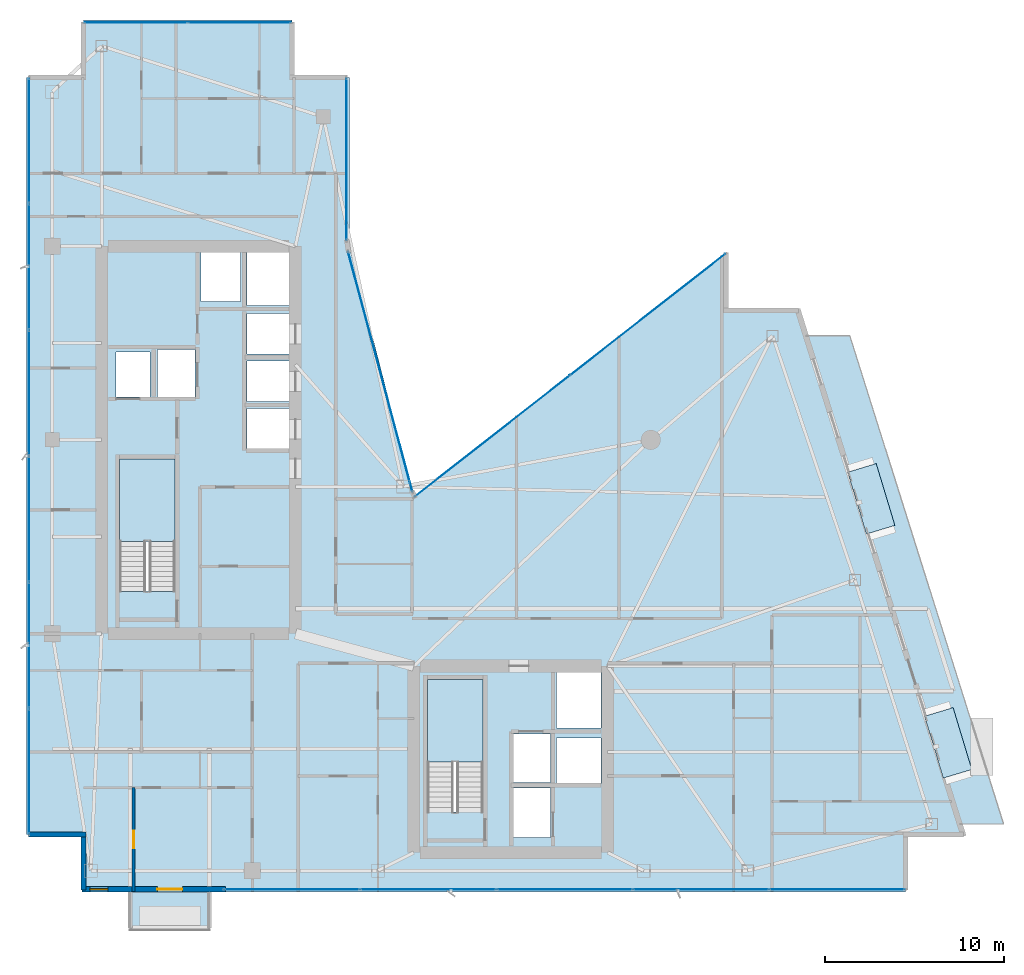
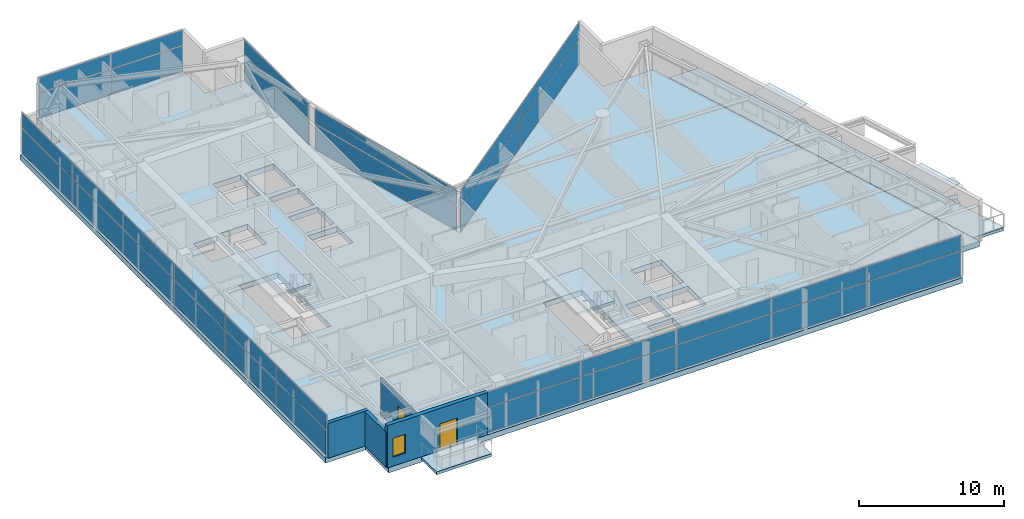
# One storey, part 22 of 29: 36 plates, 5 slabs, 4 walls, 2 doors, 1 window, 3 openings, 8 elements without a shape of their own.
"""IFC4 building model written with IfcOpenShell, lengths in metres."""

from ifc_helpers import new_model, si_unit, direction, frame, frame_2d, origin, origin_2d, place, context, subcontext, project, spatial, polyline, rectangle, outline, extrude, material, layer, layer_set, type_object, element, fill, aggregate, save


model = new_model("IFC4")

# Units and contexts
model_context = context("Model", 3, precision=1e-05, world=origin(), true_north=direction((0.0, 1.0)))
body_context = subcontext(model_context, "Body", "Model", "MODEL_VIEW")
ifc_project = project(units=[si_unit("LENGTHUNIT", "METRE"), si_unit("AREAUNIT", "SQUARE_METRE"), si_unit("VOLUMEUNIT", "CUBIC_METRE"), si_unit("PLANEANGLEUNIT", "RADIAN"), si_unit("MASSUNIT", "GRAM", prefix="KILO")], contexts=[model_context])

# Site, building, storey
site_placement = place(None, origin())
site = spatial("IfcSite", under=ifc_project, at=site_placement, CompositionType="ELEMENT")
building_placement = place(site_placement, origin())
building = spatial("IfcBuilding", under=site, at=building_placement, Name="Calvorn Quay Hotel", CompositionType="ELEMENT")
storey_placement = place(building_placement, frame((0.0, 0.0, 199.60009765625)))
storey = spatial("IfcBuildingStorey", under=building, at=storey_placement, Name="L49", CompositionType="ELEMENT", Elevation=199.60009765625)

# Curtain wall, plates
ifc_material_1 = material(Name="Champagne Bronze Anodised Aluminium and Low-E Glass", Category="aluminium")
ifc_layer_1 = layer(ifc_material_1, 0.219970703125)
ifc_layer_set_1 = layer_set([ifc_layer_1], Name="CW-SYS-Z3")
curtain_wall_type = type_object("IfcCurtainWallType", Name="CW-SYS-Z3", PredefinedType="NOTDEFINED", material=ifc_layer_set_1)
curtain_wall_1_placement = place(storey_placement, origin())
curtain_wall_1 = element("IfcCurtainWall", 1, at=curtain_wall_1_placement, inside=storey, type_object=curtain_wall_type, Name="Tower West Curtain Wall (L49)", PredefinedType="NOTDEFINED")
ifc_material_2 = material(Name="Low-E Laminated Double Glazing", Category="glass")
ifc_layer_2 = layer(ifc_material_2, 0.028076171875)
ifc_layer_set_2 = layer_set([ifc_layer_2], Name="CW-SYS-Z3-PAN")
plate_type_1 = type_object("IfcPlateType", Name="CW-SYS-Z3-PAN", PredefinedType="CURTAIN_PANEL", material=ifc_layer_set_2)
plate_1_placement = place(storey_placement, frame((0.14990234375, 9.131591796875, 0.06005859375), z_axis=(0.0, 0.0, 1.0), x_axis=(0.0, 1.0, 0.0)))
plate_1 = element("IfcPlate", 2, at=plate_1_placement, type_object=plate_type_1, Name="CW-L49-W panel 1.1", PredefinedType="CURTAIN_PANEL", context=body_context, shape_type="SweptSolid", body=[
    extrude(rectangle(XDim=6.943359375, YDim=0.028076171875, at=origin_2d()), origin(), (0.0, 0.0, 1.0), 2.110107421875),
])
plate_2_placement = place(storey_placement, frame((0.14990234375, 9.131591796875, 2.22998046875), z_axis=(0.0, 0.0, 1.0), x_axis=(0.0, 1.0, 0.0)))
plate_2 = element("IfcPlate", 3, at=plate_2_placement, type_object=plate_type_1, Name="CW-L49-W panel 1.2", PredefinedType="CURTAIN_PANEL", context=body_context, shape_type="SweptSolid", body=[
    extrude(rectangle(XDim=6.943359375, YDim=0.028076171875, at=origin_2d()), origin(), (0.0, 0.0, 1.0), 1.27001953125),
])
plate_3_placement = place(storey_placement, frame((0.14990234375, 16.14990234375, 0.06005859375), z_axis=(0.0, 0.0, 1.0), x_axis=(0.0, 1.0, 0.0)))
plate_3 = element("IfcPlate", 4, at=plate_3_placement, type_object=plate_type_1, Name="CW-L49-W panel 2.1", PredefinedType="CURTAIN_PANEL", context=body_context, shape_type="SweptSolid", body=[
    extrude(rectangle(XDim=6.973388671875, YDim=0.028076171875, at=origin_2d()), origin(), (0.0, 0.0, 1.0), 2.110107421875),
])
plate_4_placement = place(storey_placement, frame((0.14990234375, 16.14990234375, 2.22998046875), z_axis=(0.0, 0.0, 1.0), x_axis=(0.0, 1.0, 0.0)))
plate_4 = element("IfcPlate", 5, at=plate_4_placement, type_object=plate_type_1, Name="CW-L49-W panel 2.2", PredefinedType="CURTAIN_PANEL", context=body_context, shape_type="SweptSolid", body=[
    extrude(rectangle(XDim=6.973388671875, YDim=0.028076171875, at=origin_2d()), origin(), (0.0, 0.0, 1.0), 1.27001953125),
])
plate_5_placement = place(storey_placement, frame((0.14990234375, 23.183349609375, 0.06005859375), z_axis=(0.0, 0.0, 1.0), x_axis=(0.0, 1.0, 0.0)))
plate_5 = element("IfcPlate", 6, at=plate_5_placement, type_object=plate_type_1, Name="CW-L49-W panel 3.1", PredefinedType="CURTAIN_PANEL", context=body_context, shape_type="SweptSolid", body=[
    extrude(rectangle(XDim=6.973388671875, YDim=0.028076171875, at=origin_2d()), origin(), (0.0, 0.0, 1.0), 2.110107421875),
])
plate_6_placement = place(storey_placement, frame((0.14990234375, 23.183349609375, 2.22998046875), z_axis=(0.0, 0.0, 1.0), x_axis=(0.0, 1.0, 0.0)))
plate_6 = element("IfcPlate", 7, at=plate_6_placement, type_object=plate_type_1, Name="CW-L49-W panel 3.2", PredefinedType="CURTAIN_PANEL", context=body_context, shape_type="SweptSolid", body=[
    extrude(rectangle(XDim=6.973388671875, YDim=0.028076171875, at=origin_2d()), origin(), (0.0, 0.0, 1.0), 1.27001953125),
])
plate_7_placement = place(storey_placement, frame((0.14990234375, 30.216552734375, 0.06005859375), z_axis=(0.0, 0.0, 1.0), x_axis=(0.0, 1.0, 0.0)))
plate_7 = element("IfcPlate", 8, at=plate_7_placement, type_object=plate_type_1, Name="CW-L49-W panel 4.1", PredefinedType="CURTAIN_PANEL", context=body_context, shape_type="SweptSolid", body=[
    extrude(rectangle(XDim=6.973388671875, YDim=0.028076171875, at=origin_2d()), origin(), (0.0, 0.0, 1.0), 2.110107421875),
])
plate_8_placement = place(storey_placement, frame((0.14990234375, 30.216552734375, 2.22998046875), z_axis=(0.0, 0.0, 1.0), x_axis=(0.0, 1.0, 0.0)))
plate_8 = element("IfcPlate", 9, at=plate_8_placement, type_object=plate_type_1, Name="CW-L49-W panel 4.2", PredefinedType="CURTAIN_PANEL", context=body_context, shape_type="SweptSolid", body=[
    extrude(rectangle(XDim=6.973388671875, YDim=0.028076171875, at=origin_2d()), origin(), (0.0, 0.0, 1.0), 1.27001953125),
])
plate_9_placement = place(storey_placement, frame((0.14990234375, 37.25, 0.06005859375), z_axis=(0.0, 0.0, 1.0), x_axis=(0.0, 1.0, 0.0)))
plate_9 = element("IfcPlate", 10, at=plate_9_placement, type_object=plate_type_1, Name="CW-L49-W panel 5.1", PredefinedType="CURTAIN_PANEL", context=body_context, shape_type="SweptSolid", body=[
    extrude(rectangle(XDim=6.973388671875, YDim=0.028076171875, at=origin_2d()), origin(), (0.0, 0.0, 1.0), 2.110107421875),
])
plate_10_placement = place(storey_placement, frame((0.14990234375, 37.25, 2.22998046875), z_axis=(0.0, 0.0, 1.0), x_axis=(0.0, 1.0, 0.0)))
plate_10 = element("IfcPlate", 11, at=plate_10_placement, type_object=plate_type_1, Name="CW-L49-W panel 5.2", PredefinedType="CURTAIN_PANEL", context=body_context, shape_type="SweptSolid", body=[
    extrude(rectangle(XDim=6.973388671875, YDim=0.028076171875, at=origin_2d()), origin(), (0.0, 0.0, 1.0), 1.27001953125),
])
plate_11_placement = place(storey_placement, frame((0.14990234375, 44.268310546875, 0.06005859375), z_axis=(0.0, 0.0, 1.0), x_axis=(0.0, 1.0, 0.0)))
plate_11 = element("IfcPlate", 12, at=plate_11_placement, type_object=plate_type_1, Name="CW-L49-W panel 6.1", PredefinedType="CURTAIN_PANEL", context=body_context, shape_type="SweptSolid", body=[
    extrude(rectangle(XDim=6.943359375, YDim=0.028076171875, at=origin_2d()), origin(), (0.0, 0.0, 1.0), 2.110107421875),
])
plate_12_placement = place(storey_placement, frame((0.14990234375, 44.268310546875, 2.22998046875), z_axis=(0.0, 0.0, 1.0), x_axis=(0.0, 1.0, 0.0)))
plate_12 = element("IfcPlate", 13, at=plate_12_placement, type_object=plate_type_1, Name="CW-L49-W panel 6.2", PredefinedType="CURTAIN_PANEL", context=body_context, shape_type="SweptSolid", body=[
    extrude(rectangle(XDim=6.943359375, YDim=0.028076171875, at=origin_2d()), origin(), (0.0, 0.0, 1.0), 1.27001953125),
])
aggregate(curtain_wall_1, [plate_1, plate_2, plate_3, plate_4, plate_5, plate_6, plate_7, plate_8, plate_9, plate_10, plate_11, plate_12])

curtain_wall_2_placement = place(storey_placement, origin())
curtain_wall_2 = element("IfcCurtainWall", 14, at=curtain_wall_2_placement, inside=storey, type_object=curtain_wall_type, Name="Tower South Waterfront Curtain Wall (L49)", PredefinedType="NOTDEFINED")
plate_13_placement = place(storey_placement, frame((14.81494140625, 2.550048828125, 0.06005859375), z_axis=(0.0, 0.0, 1.0), x_axis=(1.0, 0.0, 0.0)))
plate_13 = element("IfcPlate", 15, at=plate_13_placement, type_object=plate_type_1, Name="CW-L49-S panel 1.1", PredefinedType="CURTAIN_PANEL", context=body_context, shape_type="SweptSolid", body=[
    extrude(rectangle(XDim=7.510009765625, YDim=0.028076171875, at=origin_2d()), origin(), (0.0, 0.0, 1.0), 2.110107421875),
])
plate_14_placement = place(storey_placement, frame((14.81494140625, 2.550048828125, 2.22998046875), z_axis=(0.0, 0.0, 1.0), x_axis=(1.0, 0.0, 0.0)))
plate_14 = element("IfcPlate", 16, at=plate_14_placement, type_object=plate_type_1, Name="CW-L49-S panel 1.2", PredefinedType="CURTAIN_PANEL", context=body_context, shape_type="SweptSolid", body=[
    extrude(rectangle(XDim=7.510009765625, YDim=0.028076171875, at=origin_2d()), origin(), (0.0, 0.0, 1.0), 1.27001953125),
])
plate_15_placement = place(storey_placement, frame((22.39990234375, 2.550048828125, 0.06005859375), z_axis=(0.0, 0.0, 1.0), x_axis=(1.0, 0.0, 0.0)))
plate_15 = element("IfcPlate", 17, at=plate_15_placement, type_object=plate_type_1, Name="CW-L49-S panel 2.1", PredefinedType="CURTAIN_PANEL", context=body_context, shape_type="SweptSolid", body=[
    extrude(rectangle(XDim=7.5400390625, YDim=0.028076171875, at=origin_2d()), origin(), (0.0, 0.0, 1.0), 2.110107421875),
])
plate_16_placement = place(storey_placement, frame((22.39990234375, 2.550048828125, 2.22998046875), z_axis=(0.0, 0.0, 1.0), x_axis=(1.0, 0.0, 0.0)))
plate_16 = element("IfcPlate", 18, at=plate_16_placement, type_object=plate_type_1, Name="CW-L49-S panel 2.2", PredefinedType="CURTAIN_PANEL", context=body_context, shape_type="SweptSolid", body=[
    extrude(rectangle(XDim=7.5400390625, YDim=0.028076171875, at=origin_2d()), origin(), (0.0, 0.0, 1.0), 1.27001953125),
])
plate_17_placement = place(storey_placement, frame((30.0, 2.550048828125, 0.06005859375), z_axis=(0.0, 0.0, 1.0), x_axis=(1.0, 0.0, 0.0)))
plate_17 = element("IfcPlate", 19, at=plate_17_placement, type_object=plate_type_1, Name="CW-L49-S panel 3.1", PredefinedType="CURTAIN_PANEL", context=body_context, shape_type="SweptSolid", body=[
    extrude(rectangle(XDim=7.5400390625, YDim=0.028076171875, at=origin_2d()), origin(), (0.0, 0.0, 1.0), 2.110107421875),
])
plate_18_placement = place(storey_placement, frame((30.0, 2.550048828125, 2.22998046875), z_axis=(0.0, 0.0, 1.0), x_axis=(1.0, 0.0, 0.0)))
plate_18 = element("IfcPlate", 20, at=plate_18_placement, type_object=plate_type_1, Name="CW-L49-S panel 3.2", PredefinedType="CURTAIN_PANEL", context=body_context, shape_type="SweptSolid", body=[
    extrude(rectangle(XDim=7.5400390625, YDim=0.028076171875, at=origin_2d()), origin(), (0.0, 0.0, 1.0), 1.27001953125),
])
plate_19_placement = place(storey_placement, frame((37.60009765625, 2.550048828125, 0.06005859375), z_axis=(0.0, 0.0, 1.0), x_axis=(1.0, 0.0, 0.0)))
plate_19 = element("IfcPlate", 21, at=plate_19_placement, type_object=plate_type_1, Name="CW-L49-S panel 4.1", PredefinedType="CURTAIN_PANEL", context=body_context, shape_type="SweptSolid", body=[
    extrude(rectangle(XDim=7.5400390625, YDim=0.028076171875, at=origin_2d()), origin(), (0.0, 0.0, 1.0), 2.110107421875),
])
plate_20_placement = place(storey_placement, frame((37.60009765625, 2.550048828125, 2.22998046875), z_axis=(0.0, 0.0, 1.0), x_axis=(1.0, 0.0, 0.0)))
plate_20 = element("IfcPlate", 22, at=plate_20_placement, type_object=plate_type_1, Name="CW-L49-S panel 4.2", PredefinedType="CURTAIN_PANEL", context=body_context, shape_type="SweptSolid", body=[
    extrude(rectangle(XDim=7.5400390625, YDim=0.028076171875, at=origin_2d()), origin(), (0.0, 0.0, 1.0), 1.27001953125),
])
plate_21_placement = place(storey_placement, frame((45.18505859375, 2.550048828125, 0.06005859375), z_axis=(0.0, 0.0, 1.0), x_axis=(1.0, 0.0, 0.0)))
plate_21 = element("IfcPlate", 23, at=plate_21_placement, type_object=plate_type_1, Name="CW-L49-S panel 5.1", PredefinedType="CURTAIN_PANEL", context=body_context, shape_type="SweptSolid", body=[
    extrude(rectangle(XDim=7.510009765625, YDim=0.028076171875, at=origin_2d()), origin(), (0.0, 0.0, 1.0), 2.110107421875),
])
plate_22_placement = place(storey_placement, frame((45.18505859375, 2.550048828125, 2.22998046875), z_axis=(0.0, 0.0, 1.0), x_axis=(1.0, 0.0, 0.0)))
plate_22 = element("IfcPlate", 24, at=plate_22_placement, type_object=plate_type_1, Name="CW-L49-S panel 5.2", PredefinedType="CURTAIN_PANEL", context=body_context, shape_type="SweptSolid", body=[
    extrude(rectangle(XDim=7.510009765625, YDim=0.028076171875, at=origin_2d()), origin(), (0.0, 0.0, 1.0), 1.27001953125),
])
aggregate(curtain_wall_2, [plate_13, plate_14, plate_15, plate_16, plate_17, plate_18, plate_19, plate_20, plate_21, plate_22])

curtain_wall_3_placement = place(storey_placement, origin())
curtain_wall_3 = element("IfcCurtainWall", 25, at=curtain_wall_3_placement, inside=storey, type_object=curtain_wall_type, Name="Inner Court Curtain Wall L49-NE1", PredefinedType="NOTDEFINED")
plate_23_placement = place(storey_placement, frame((34.63818359375, 34.5908203125, 0.06005859375), z_axis=(0.0, 0.0, 1.0), x_axis=(-0.787887056174, -0.615819768044, 0.0)))
plate_23 = element("IfcPlate", 26, at=plate_23_placement, type_object=plate_type_1, Name="CW-L49-NE1 panel 1.1", PredefinedType="CURTAIN_PANEL", context=body_context, shape_type="SweptSolid", body=[
    extrude(rectangle(XDim=10.9521484375, YDim=0.028076171875, at=origin_2d()), origin(), (0.0, 0.0, 1.0), 2.110107421875),
])
plate_24_placement = place(storey_placement, frame((34.63818359375, 34.5908203125, 2.22998046875), z_axis=(0.0, 0.0, 1.0), x_axis=(-0.787887056174, -0.615819768044, 0.0)))
plate_24 = element("IfcPlate", 27, at=plate_24_placement, type_object=plate_type_1, Name="CW-L49-NE1 panel 1.2", PredefinedType="CURTAIN_PANEL", context=body_context, shape_type="SweptSolid", body=[
    extrude(rectangle(XDim=10.9521484375, YDim=0.028076171875, at=origin_2d()), origin(), (0.0, 0.0, 1.0), 1.27001953125),
])
plate_25_placement = place(storey_placement, frame((25.9619140625, 27.809326171875, 0.06005859375), z_axis=(0.0, 0.0, 1.0), x_axis=(-0.787887056174, -0.615819768044, 0.0)))
plate_25 = element("IfcPlate", 28, at=plate_25_placement, type_object=plate_type_1, Name="CW-L49-NE1 panel 2.1", PredefinedType="CURTAIN_PANEL", context=body_context, shape_type="SweptSolid", body=[
    extrude(rectangle(XDim=10.9521484375, YDim=0.028076171875, at=origin_2d()), origin(), (0.0, 0.0, 1.0), 2.110107421875),
])
plate_26_placement = place(storey_placement, frame((25.9619140625, 27.809326171875, 2.22998046875), z_axis=(0.0, 0.0, 1.0), x_axis=(-0.787887056174, -0.615819768044, 0.0)))
plate_26 = element("IfcPlate", 29, at=plate_26_placement, type_object=plate_type_1, Name="CW-L49-NE1 panel 2.2", PredefinedType="CURTAIN_PANEL", context=body_context, shape_type="SweptSolid", body=[
    extrude(rectangle(XDim=10.9521484375, YDim=0.028076171875, at=origin_2d()), origin(), (0.0, 0.0, 1.0), 1.27001953125),
])
aggregate(curtain_wall_3, [plate_23, plate_24, plate_25, plate_26])

curtain_wall_4_placement = place(storey_placement, origin())
curtain_wall_4 = element("IfcCurtainWall", 30, at=curtain_wall_4_placement, inside=storey, type_object=curtain_wall_type, Name="Inner Court Curtain Wall L49-IC1", PredefinedType="NOTDEFINED")
plate_27_placement = place(storey_placement, frame((19.72509765625, 31.39990234375, 0.06005859375), z_axis=(0.0, 0.0, 1.0), x_axis=(-0.25877913024, 0.96593652056, 0.0)))
plate_27 = element("IfcPlate", 31, at=plate_27_placement, type_object=plate_type_1, Name="CW-L49-IC1 panel 1.1", PredefinedType="CURTAIN_PANEL", context=body_context, shape_type="SweptSolid", body=[
    extrude(rectangle(XDim=13.814697265625, YDim=0.028076171875, at=origin_2d()), origin(), (0.0, 0.0, 1.0), 2.110107421875),
])
plate_28_placement = place(storey_placement, frame((19.72509765625, 31.39990234375, 2.22998046875), z_axis=(0.0, 0.0, 1.0), x_axis=(-0.25877913024, 0.96593652056, 0.0)))
plate_28 = element("IfcPlate", 32, at=plate_28_placement, type_object=plate_type_1, Name="CW-L49-IC1 panel 1.2", PredefinedType="CURTAIN_PANEL", context=body_context, shape_type="SweptSolid", body=[
    extrude(rectangle(XDim=13.814697265625, YDim=0.028076171875, at=origin_2d()), origin(), (0.0, 0.0, 1.0), 1.27001953125),
])
aggregate(curtain_wall_4, [plate_27, plate_28])

curtain_wall_5_placement = place(storey_placement, origin())
curtain_wall_5 = element("IfcCurtainWall", 33, at=curtain_wall_5_placement, inside=storey, type_object=curtain_wall_type, Name="Inner Court Curtain Wall L49-IC2", PredefinedType="NOTDEFINED")
plate_29_placement = place(storey_placement, frame((17.85009765625, 43.239990234375, 0.06005859375), z_axis=(0.0, 0.0, 1.0), x_axis=(0.0, 1.0, 0.0)))
plate_29 = element("IfcPlate", 34, at=plate_29_placement, type_object=plate_type_1, Name="CW-L49-IC2 panel 1.1", PredefinedType="CURTAIN_PANEL", context=body_context, shape_type="SweptSolid", body=[
    extrude(rectangle(XDim=9.0, YDim=0.028076171875, at=origin_2d()), origin(), (0.0, 0.0, 1.0), 2.110107421875),
])
plate_30_placement = place(storey_placement, frame((17.85009765625, 43.239990234375, 2.22998046875), z_axis=(0.0, 0.0, 1.0), x_axis=(0.0, 1.0, 0.0)))
plate_30 = element("IfcPlate", 35, at=plate_30_placement, type_object=plate_type_1, Name="CW-L49-IC2 panel 1.2", PredefinedType="CURTAIN_PANEL", context=body_context, shape_type="SweptSolid", body=[
    extrude(rectangle(XDim=9.0, YDim=0.028076171875, at=origin_2d()), origin(), (0.0, 0.0, 1.0), 1.27001953125),
])
aggregate(curtain_wall_5, [plate_29, plate_30])

curtain_wall_6_placement = place(storey_placement, origin())
curtain_wall_6 = element("IfcCurtainWall", 36, at=curtain_wall_6_placement, inside=storey, type_object=curtain_wall_type, Name="Inner Court Curtain Wall L49-N1", PredefinedType="NOTDEFINED")
plate_31_placement = place(storey_placement, frame((11.885009765625, 50.85009765625, 0.06005859375), z_axis=(0.0, 0.0, 1.0), x_axis=(-1.0, 0.0, 0.0)))
plate_31 = element("IfcPlate", 37, at=plate_31_placement, type_object=plate_type_1, Name="CW-L49-N1 panel 1.1", PredefinedType="CURTAIN_PANEL", context=body_context, shape_type="SweptSolid", body=[
    extrude(rectangle(XDim=5.7099609375, YDim=0.028076171875, at=origin_2d()), origin(), (0.0, 0.0, 1.0), 2.110107421875),
])
plate_32_placement = place(storey_placement, frame((11.885009765625, 50.85009765625, 2.22998046875), z_axis=(0.0, 0.0, 1.0), x_axis=(-1.0, 0.0, 0.0)))
plate_32 = element("IfcPlate", 38, at=plate_32_placement, type_object=plate_type_1, Name="CW-L49-N1 panel 1.2", PredefinedType="CURTAIN_PANEL", context=body_context, shape_type="SweptSolid", body=[
    extrude(rectangle(XDim=5.7099609375, YDim=0.028076171875, at=origin_2d()), origin(), (0.0, 0.0, 1.0), 1.27001953125),
])
plate_33_placement = place(storey_placement, frame((6.114990234375, 50.85009765625, 0.06005859375), z_axis=(0.0, 0.0, 1.0), x_axis=(-1.0, 0.0, 0.0)))
plate_33 = element("IfcPlate", 39, at=plate_33_placement, type_object=plate_type_1, Name="CW-L49-N1 panel 2.1", PredefinedType="CURTAIN_PANEL", context=body_context, shape_type="SweptSolid", body=[
    extrude(rectangle(XDim=5.7099609375, YDim=0.028076171875, at=origin_2d()), origin(), (0.0, 0.0, 1.0), 2.110107421875),
])
plate_34_placement = place(storey_placement, frame((6.114990234375, 50.85009765625, 2.22998046875), z_axis=(0.0, 0.0, 1.0), x_axis=(-1.0, 0.0, 0.0)))
plate_34 = element("IfcPlate", 40, at=plate_34_placement, type_object=plate_type_1, Name="CW-L49-N1 panel 2.2", PredefinedType="CURTAIN_PANEL", context=body_context, shape_type="SweptSolid", body=[
    extrude(rectangle(XDim=5.7099609375, YDim=0.028076171875, at=origin_2d()), origin(), (0.0, 0.0, 1.0), 1.27001953125),
])
aggregate(curtain_wall_6, [plate_31, plate_32, plate_33, plate_34])

# Plates
ifc_material_3 = material(Name="Tempered Laminated Low-E Glass", Category="glass")
ifc_layer_3 = layer(ifc_material_3, 0.0380859375)
ifc_layer_set_3 = layer_set([ifc_layer_3], Name="PLT-HOOD-GLAZ")
plate_type_2 = type_object("IfcPlateType", Name="PLT-HOOD-GLAZ", PredefinedType="SHEET", material=ifc_layer_set_3)
for number, where, z_axis, x_axis, name in (
    (41, (51.3740234375, 10.718017578125, 2.466796875), (0.0, 0.0, 1.0), (0.957319497532, 0.289031796944, 0.0), "Angled Glass Bay Hood Panel L49-HOOD-1"),
    (42, (47.089111328125, 24.318115234375, 2.466796875), (0.0, 0.0, 1.0), (0.957319497532, 0.289031796944, 0.0), "Angled Glass Bay Hood Panel L49-HOOD-3"),
):
    element("IfcPlate", number, at=place(storey_placement, frame(where, z_axis=z_axis, x_axis=x_axis)), inside=storey, type_object=plate_type_2, Name=name, PredefinedType="SHEET", context=body_context, shape_type="SweptSolid", body=[
        extrude(rectangle(XDim=1.659912109375, YDim=3.60009765625, at=origin_2d()), origin(), (0.0, 0.0, 1.0), 0.0380859375),
    ])

# Slab
ifc_material_4 = material(Name="Concrete C40", Category="concrete")
ifc_layer_4 = layer(ifc_material_4, 0.239990234375)
ifc_layer_set_4 = layer_set([ifc_layer_4], Name="SLB-BALCONY-220")
slab_type_1 = type_object("IfcSlabType", Name="SLB-BALCONY-220", PredefinedType="FLOOR", material=ifc_layer_set_4)
slab_1_placement = place(storey_placement, frame((0.0, 0.0, -0.239990234375)))
element("IfcSlab", 43, at=slab_1_placement, inside=storey, type_object=slab_type_1, Name="Tree Balcony Slab L49-BALC-S", PredefinedType="FLOOR", context=body_context, shape_type="SweptSolid", body=[
    extrude(outline(polyline([(5.800048828125, 0.2900390625), (10.199951171875, 0.2900390625), (10.199951171875, 2.389892578125), (5.800048828125, 2.389892578125), (5.800048828125, 0.2900390625)])), origin(), (0.0, 0.0, 1.0), 0.239990234375),
])

# Stair, slab
ifc_material_5 = material(Name="Concrete C40", Category="concrete")
stair_type = type_object("IfcStairType", Name="STR-CORE-DOGLEG", PredefinedType="HALF_TURN_STAIR", material=ifc_material_5)
stair_1_placement = place(storey_placement, origin())
stair_1 = element("IfcStair", 44, at=stair_1_placement, inside=storey, type_object=stair_type, Name="L49 ST-W", PredefinedType="HALF_TURN_STAIR")
ifc_material_6 = material(Name="Concrete C40", Category="concrete")
ifc_layer_5 = layer(ifc_material_6, 0.199951171875)
ifc_layer_set_5 = layer_set([ifc_layer_5], Name="SLB-STAIR-LANDING-200")
slab_type_2 = type_object("IfcSlabType", Name="SLB-STAIR-LANDING-200", PredefinedType="LANDING", material=ifc_layer_set_5)
slab_2_placement = place(storey_placement, frame((0.0, 0.0, 1.699951171875)))
slab_2 = element("IfcSlab", 45, at=slab_2_placement, type_object=slab_type_2, Name="ST-W landing 1", PredefinedType="LANDING", context=body_context, shape_type="SweptSolid", body=[
    extrude(outline(polyline([(8.300048828125, 21.949951171875), (8.300048828125, 26.550048828125), (5.199951171875, 26.550048828125), (5.199951171875, 21.949951171875), (8.300048828125, 21.949951171875)])), origin(), (0.0, 0.0, 1.0), 0.199951171875),
])
aggregate(stair_1, [slab_2])

stair_2_placement = place(storey_placement, origin())
stair_2 = element("IfcStair", 46, at=stair_2_placement, inside=storey, type_object=stair_type, Name="L49 ST-E", PredefinedType="HALF_TURN_STAIR")
slab_3_placement = place(storey_placement, frame((0.0, 0.0, 1.699951171875)))
slab_3 = element("IfcSlab", 47, at=slab_3_placement, type_object=slab_type_2, Name="ST-E landing 1", PredefinedType="LANDING", context=body_context, shape_type="SweptSolid", body=[
    extrude(outline(polyline([(25.449951171875, 9.64990234375), (25.449951171875, 14.25), (22.35009765625, 14.25), (22.35009765625, 9.64990234375), (25.449951171875, 9.64990234375)])), origin(), (0.0, 0.0, 1.0), 0.199951171875),
])
aggregate(stair_2, [slab_3])

# Slabs
ifc_material_7 = material(Name="Concrete C40", Category="concrete")
ifc_layer_6 = layer(ifc_material_7, 0.260009765625)
ifc_layer_set_6 = layer_set([ifc_layer_6], Name="SLB-TERRACE-260")
slab_type_3 = type_object("IfcSlabType", Name="SLB-TERRACE-260", PredefinedType="ROOF", material=ifc_layer_set_6)
slab_4_placement = place(storey_placement, frame((0.0, 0.0, -0.260009765625)))
element("IfcSlab", 48, at=slab_4_placement, inside=storey, type_object=slab_type_3, Name="Sawtooth Setback Terrace Slab L49", PredefinedType="ROOF", context=body_context, shape_type="SweptSolid", body=[
    extrude(outline(polyline([(52.031005859375, 6.199951171875), (54.4609375, 6.199951171875), (45.89111328125, 33.39990234375), (43.4609375, 33.39990234375), (52.031005859375, 6.199951171875)])), origin(), (0.0, 0.0, 1.0), 0.260009765625),
])
ifc_material_8 = material(Name="Concrete C50", Category="concrete")
ifc_layer_7 = layer(ifc_material_8, 0.449951171875)
ifc_layer_set_7 = layer_set([ifc_layer_7], Name="SLB-XFER-450")
slab_type_4 = type_object("IfcSlabType", Name="SLB-XFER-450", PredefinedType="FLOOR", material=ifc_layer_set_7)
slab_5_placement = place(storey_placement, frame((0.0, 0.0, -0.4501953125)))
element("IfcSlab", 49, at=slab_5_placement, inside=storey, type_object=slab_type_4, Name="L49 Structural Floor Slab", PredefinedType="FLOOR", context=body_context, shape_type="SweptSolid", body=[
    extrude(outline(polyline([(0.0, 5.60009765625), (3.199951171875, 5.60009765625), (3.199951171875, 2.39990234375), (49.0, 2.39990234375), (49.0, 5.60009765625), (52.199951171875, 5.60009765625), (43.0, 34.800048828125), (39.0, 34.800048828125), (39.0, 38.0), (21.60009765625, 24.39990234375), (18.0, 38.39990234375), (18.0, 47.800048828125), (14.800048828125, 47.800048828125), (14.800048828125, 51.0), (3.199951171875, 51.0), (3.199951171875, 47.800048828125), (0.0, 47.800048828125), (0.0, 5.60009765625)]), holes=[polyline([(5.199951171875, 19.156005859375), (8.300048828125, 19.156005859375), (8.300048828125, 26.550048828125), (5.199951171875, 26.550048828125), (5.199951171875, 19.156005859375)]), polyline([(22.35009765625, 6.85595703125), (25.449951171875, 6.85595703125), (25.449951171875, 14.25), (22.35009765625, 14.25), (22.35009765625, 6.85595703125)]), polyline([(5.0, 30.0), (6.89990234375, 30.0), (6.89990234375, 32.5), (5.0, 32.5), (5.0, 30.0)]), polyline([(7.300048828125, 30.0), (9.39990234375, 30.0), (9.39990234375, 32.64990234375), (7.300048828125, 32.64990234375), (7.300048828125, 30.0)]), polyline([(27.159912109375, 8.5), (29.2099609375, 8.5), (29.2099609375, 11.199951171875), (27.159912109375, 11.199951171875), (27.159912109375, 8.5)]), polyline([(27.159912109375, 5.449951171875), (29.2099609375, 5.449951171875), (29.2099609375, 8.199951171875), (27.159912109375, 8.199951171875), (27.159912109375, 5.449951171875)]), polyline([(12.300048828125, 27.10009765625), (14.639892578125, 27.10009765625), (14.639892578125, 29.35009765625), (12.300048828125, 29.35009765625), (12.300048828125, 27.10009765625)]), polyline([(12.300048828125, 29.75), (14.639892578125, 29.75), (14.639892578125, 32.0), (12.300048828125, 32.0), (12.300048828125, 29.75)]), polyline([(12.300048828125, 32.39990234375), (14.639892578125, 32.39990234375), (14.639892578125, 34.64990234375), (12.300048828125, 34.64990234375), (12.300048828125, 32.39990234375)]), polyline([(12.300048828125, 35.10009765625), (14.639892578125, 35.10009765625), (14.639892578125, 38.0400390625), (12.300048828125, 38.0400390625), (12.300048828125, 35.10009765625)]), polyline([(9.75, 35.300048828125), (11.949951171875, 35.300048828125), (11.949951171875, 38.0400390625), (9.75, 38.0400390625), (9.75, 35.300048828125)]), polyline([(29.550048828125, 11.550048828125), (32.0400390625, 11.550048828125), (32.0400390625, 14.639892578125), (29.550048828125, 14.639892578125), (29.550048828125, 11.550048828125)]), polyline([(29.550048828125, 8.449951171875), (32.0400390625, 8.449951171875), (32.0400390625, 11.0), (29.550048828125, 11.0), (29.550048828125, 8.449951171875)])]), origin(), (0.0, 0.0, 1.0), 0.4501953125),
])

# Wall, openings, door, window
ifc_material_9 = material(Name="Concrete C40", Category="concrete")
ifc_layer_8 = layer(ifc_material_9, 0.320068359375)
ifc_layer_set_8 = layer_set([ifc_layer_8], Name="WL-EXT-SPANDREL-320")
wall_type_1 = type_object("IfcWallType", Name="WL-EXT-SPANDREL-320", PredefinedType="SOLIDWALL", material=ifc_layer_set_8)
wall_1_placement = place(storey_placement, frame((3.10009765625, 2.56005859375, 0.0), z_axis=(0.0, 0.0, 1.0), x_axis=(1.0, 0.0, 0.0)))
wall_1 = element("IfcWall", 50, at=wall_1_placement, inside=storey, type_object=wall_type_1, Name="South Balcony Exterior Wall (L49)", PredefinedType="SOLIDWALL", context=body_context, shape_type="SweptSolid", body=[
    extrude(rectangle(XDim=8.0, YDim=0.320068359375, at=frame_2d((4.0, 0.0))), origin(), (0.0, 0.0, 1.0), 3.559814453125),
])
opening_1_placement = place(wall_1_placement, frame((0.449951171875, 0.0, 0.75)))
opening_1 = element("IfcOpeningElement", 51, at=opening_1_placement, cuts=wall_1, Name="Opening WSB-L49-1", PredefinedType="OPENING", context=body_context, shape_type="SweptSolid", body=[
    extrude(rectangle(XDim=1.0, YDim=1.60009765625, at=frame_2d((0.5, 0.800048828125))), frame((0.0, 0.169921875, 0.0), z_axis=(0.0, -1.0, 0.0), x_axis=(1.0, 0.0, 0.0)), (0.0, 0.0, 1.0), 0.340087890625),
])
opening_2_placement = place(wall_1_placement, frame((4.199951171875, 0.0, 0.0)))
opening_2 = element("IfcOpeningElement", 52, at=opening_2_placement, cuts=wall_1, Name="Opening DB-L49-1", PredefinedType="OPENING", context=body_context, shape_type="SweptSolid", body=[
    extrude(rectangle(XDim=1.39990234375, YDim=2.25, at=frame_2d((0.699951171875, 1.125))), frame((0.0, 0.169921875, 0.0), z_axis=(0.0, -1.0, 0.0), x_axis=(1.0, 0.0, 0.0)), (0.0, 0.0, 1.0), 0.340087890625),
])
ifc_material_10 = material(Name="Typhoon-Rated Low-E Aluminium Terrace Door", Category="aluminium")
door_type_1 = type_object("IfcDoorType", Name="DR-BALCONY-GLZ-1400", OperationType="NOTDEFINED", PredefinedType="DOOR", material=ifc_material_10)
door_1_placement = place(opening_2_placement, origin())
door_1 = element("IfcDoor", 53, at=door_1_placement, inside=storey, type_object=door_type_1, Name="Tree Balcony Terrace Door L49-BALC-S", OperationType="SINGLE_SWING_LEFT", OverallHeight=2.25, OverallWidth=1.39990234375, PredefinedType="DOOR", context=body_context, shape_type="SweptSolid", body=[
    extrude(rectangle(XDim=1.39990234375, YDim=2.25, at=frame_2d((0.699951171875, 1.125))), frame((0.0, 0.02490234375, 0.0), z_axis=(0.0, -1.0, 0.0), x_axis=(1.0, 0.0, 0.0)), (0.0, 0.0, 1.0), 0.050048828125),
])
fill(opening_2, door_1)
ifc_material_11 = material(Name="Self-Closing Class B Side Fire Window")
window_type = type_object("IfcWindowType", Name="WIN-REFUGE-NARROW-1000x1600", PartitioningType="SINGLE_PANEL", PredefinedType="WINDOW", material=ifc_material_11)
window_placement = place(opening_1_placement, origin())
window = element("IfcWindow", 54, at=window_placement, inside=storey, type_object=window_type, Name="South Waterfront Side Window (L49)", OverallHeight=1.60009765625, OverallWidth=1.0, PartitioningType="SINGLE_PANEL", PredefinedType="WINDOW", context=body_context, shape_type="SweptSolid", body=[
    extrude(rectangle(XDim=1.0, YDim=1.60009765625, at=frame_2d((0.5, 0.800048828125))), frame((0.0, 0.030029296875, 0.0), z_axis=(0.0, -1.0, 0.0), x_axis=(1.0, 0.0, 0.0)), (0.0, 0.0, 1.0), 0.06005859375),
])
fill(opening_1, window)

# Walls
wall_2_placement = place(storey_placement, frame((0.1201171875, 5.60009765625, 0.0), z_axis=(0.0, 0.0, 1.0), x_axis=(1.0, 0.0, 0.0)))
element("IfcWall", 55, at=wall_2_placement, inside=storey, type_object=wall_type_1, Name="Notched Corner Spandrel L49-SW1", PredefinedType="SOLIDWALL", context=body_context, shape_type="SweptSolid", body=[
    extrude(rectangle(XDim=3.219970703125, YDim=0.280029296875, at=frame_2d((1.60986328125, 0.0))), origin(), (0.0, 0.0, 1.0), 2.93994140625),
])
wall_3_placement = place(storey_placement, frame((3.199951171875, 5.4599609375, 0.0), z_axis=(0.0, 0.0, 1.0), x_axis=(0.0, -1.0, 0.0)))
element("IfcWall", 56, at=wall_3_placement, inside=storey, type_object=wall_type_1, Name="Notched Corner Spandrel L49-SW2", PredefinedType="SOLIDWALL", context=body_context, shape_type="SweptSolid", body=[
    extrude(rectangle(XDim=2.93994140625, YDim=0.280029296875, at=frame_2d((1.469970703125, 0.0))), origin(), (0.0, 0.0, 1.0), 2.93994140625),
])

# Wall, opening, door
ifc_material_12 = material(Name="Double-Stud Acoustic Gypsum Partition")
ifc_layer_9 = layer(ifc_material_12, 0.159912109375)
ifc_layer_set_9 = layer_set([ifc_layer_9], Name="WL-INTERSUITE-160")
wall_type_2 = type_object("IfcWallType", Name="WL-INTERSUITE-160", PredefinedType="PARTITIONING", material=ifc_layer_set_9)
wall_4_placement = place(storey_placement, frame((5.97998046875, 2.43994140625, 0.0), z_axis=(0.0, 0.0, 1.0), x_axis=(0.0, 1.0, 0.0)))
wall_4 = element("IfcWall", 57, at=wall_4_placement, inside=storey, type_object=wall_type_2, Name="Partition Wall L49-WL-U01-MSP", PredefinedType="PARTITIONING", context=body_context, shape_type="SweptSolid", body=[
    extrude(rectangle(XDim=5.780029296875, YDim=0.159912109375, at=frame_2d((2.89013671875, 0.0))), origin(), (0.0, 0.0, 1.0), 3.08984375),
])
opening_3_placement = place(wall_4_placement, frame((2.409912109375, 0.0, 0.0)))
opening_3 = element("IfcOpeningElement", 58, at=opening_3_placement, cuts=wall_4, Name="Opening D-L49-M01", PredefinedType="OPENING", context=body_context, shape_type="SweptSolid", body=[
    extrude(rectangle(XDim=0.9599609375, YDim=2.199951171875, at=frame_2d((0.47998046875, 1.10009765625))), frame((0.0, 0.08984375, 0.0), z_axis=(0.0, -1.0, 0.0), x_axis=(1.0, 0.0, 0.0)), (0.0, 0.0, 1.0), 0.179931640625),
])
ifc_material_13 = material(Name="Solid Timber Internal Suite Door", Category="wood")
door_type_2 = type_object("IfcDoorType", Name="DR-SUITE-INT-960", OperationType="NOTDEFINED", PredefinedType="DOOR", material=ifc_material_13)
door_2_placement = place(opening_3_placement, origin())
door_2 = element("IfcDoor", 59, at=door_2_placement, inside=storey, type_object=door_type_2, Name="Suite Bedroom Door 01", OperationType="SINGLE_SWING_LEFT", OverallHeight=2.199951171875, OverallWidth=0.9599609375, PredefinedType="DOOR", context=body_context, shape_type="SweptSolid", body=[
    extrude(rectangle(XDim=0.9599609375, YDim=2.199951171875, at=frame_2d((0.47998046875, 1.10009765625))), frame((0.0, 0.02490234375, 0.0), z_axis=(0.0, -1.0, 0.0), x_axis=(1.0, 0.0, 0.0)), (0.0, 0.0, 1.0), 0.050048828125),
])
fill(opening_3, door_2)

save(model, "model.ifc")
